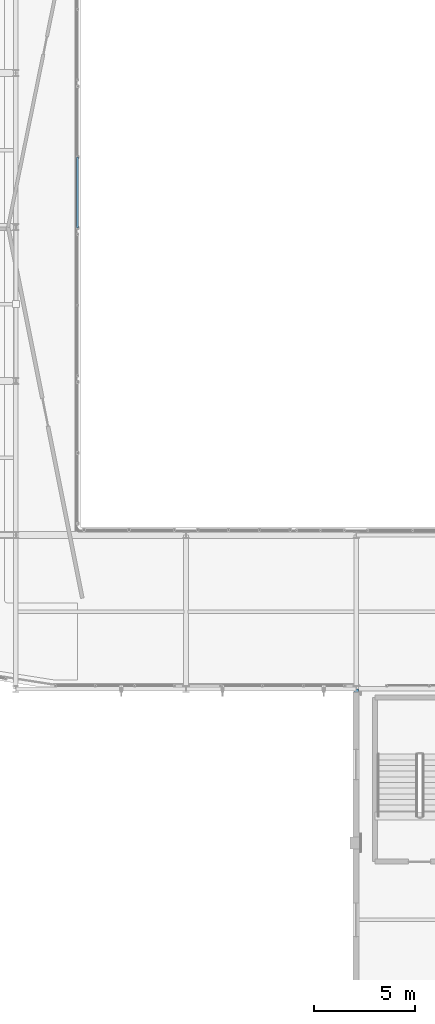
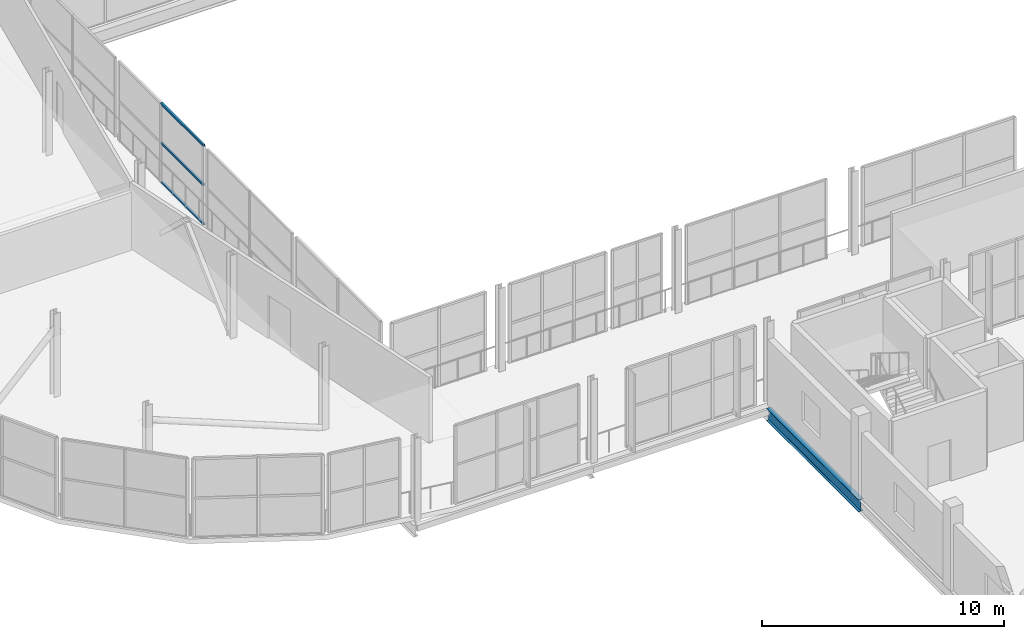
# One storey, part 26 of 151: 3 members, 1 beam, 1 element without a shape of its own.
"""IFC4 building model written with IfcOpenShell, lengths in metres."""

import ifcopenshell
import ifcopenshell.guid

model = None  # the IFC model being written
_history = None  # IfcOwnerHistory: only IFC2X3 demands one
_inside = {}  # id of a spatial element -> (the spatial element, [elements in it])
_under = {}  # id of a project, library or spatial element -> (it, [spatial elements below it])
_declared = {}  # id of a project -> (the project, [libraries it declares])
_typed = {}  # id of a type object -> (the type object, [elements of that type])
_made_of = {}  # id of a material, layer set ... -> (it, [elements and type objects made of it])


def new_model(schema):
    """Start an empty IFC model of exactly this schema.

    Asked for "IFC4X3", IfcOpenShell would pick the latest addendum, in which some entities
    have other attributes; the version numbers below select the first issue.
    IFC2X3 requires an IfcOwnerHistory on every rooted entity: one is made here for all.
    """
    global model, _history
    if schema == "IFC4X3":
        model = ifcopenshell.file(schema_version=(4, 3, 0, 0))
    else:
        model = ifcopenshell.file(schema=schema)
    _inside.clear()
    _under.clear()
    _declared.clear()
    _typed.clear()
    _made_of.clear()
    _history = None
    if model.schema == "IFC2X3":
        org = make("IfcOrganization", Name="unknown")
        user = make(
            "IfcPersonAndOrganization",
            ThePerson=make("IfcPerson", FamilyName="unknown"),
            TheOrganization=org,
        )
        app = make(
            "IfcApplication",
            ApplicationDeveloper=org,
            Version="unknown",
            ApplicationFullName="unknown",
            ApplicationIdentifier="unknown",
        )
        _history = make(
            "IfcOwnerHistory",
            OwningUser=user,
            OwningApplication=app,
            ChangeAction="ADDED",
            CreationDate=0,
        )
    return model


def make(cls, **values):
    """One entity of the class cls with the attributes given. An attribute that is None is left unset."""
    return model.create_entity(
        cls, **{name: value for name, value in values.items() if value is not None}
    )


def rooted(cls, **values):
    """An entity with a GlobalId (a new one), such as an element, a storey or a relation."""
    return make(cls, GlobalId=ifcopenshell.guid.new(), OwnerHistory=_history, **values)


def si_unit(unit_type, name, prefix=None):
    """IfcSIUnit, for example si_unit("LENGTHUNIT", "METRE", prefix="MILLI")."""
    return make("IfcSIUnit", UnitType=unit_type, Prefix=prefix, Name=name)


def assignment(units):
    """IfcUnitAssignment: the units of a project."""
    return None if units is None else make("IfcUnitAssignment", Units=units)


def point(xyz):
    """IfcCartesianPoint."""
    return None if xyz is None else make("IfcCartesianPoint", Coordinates=xyz)


def direction(xyz):
    """IfcDirection."""
    return None if xyz is None else make("IfcDirection", DirectionRatios=xyz)


def frame(location, z_axis=None, x_axis=None):
    """IfcAxis2Placement3D, a coordinate frame: its origin and axes. An axis left out is left unset."""
    return make(
        "IfcAxis2Placement3D",
        Location=point(location),
        Axis=direction(z_axis),
        RefDirection=direction(x_axis),
    )


def frame_2d(location, x_axis=None):
    """IfcAxis2Placement2D, a coordinate frame in the plane: its origin and x axis."""
    return make(
        "IfcAxis2Placement2D", Location=point(location), RefDirection=direction(x_axis)
    )


def origin():
    """The frame at (0, 0, 0) with its axes left unset."""
    return frame((0.0, 0.0, 0.0))


def origin_2d():
    """The frame at (0, 0) in the plane with its x axis left unset."""
    return frame_2d((0.0, 0.0))


def place(relative_to, where):
    """IfcLocalPlacement: puts the frame where relative to a parent placement (None: the world)."""
    return make(
        "IfcLocalPlacement", PlacementRelTo=relative_to, RelativePlacement=where
    )


def context(
    kind, dimensions, precision=None, world=None, true_north=None, identifier=None
):
    """IfcGeometricRepresentationContext, for example the 3D "Model" context."""
    return make(
        "IfcGeometricRepresentationContext",
        ContextIdentifier=identifier,
        ContextType=kind,
        CoordinateSpaceDimension=dimensions,
        Precision=precision,
        WorldCoordinateSystem=world,
        TrueNorth=true_north,
    )


def subcontext(parent, identifier, kind, view, scale=None):
    """IfcGeometricRepresentationSubContext, for example "Body" below "Model"."""
    return make(
        "IfcGeometricRepresentationSubContext",
        ContextIdentifier=identifier,
        ContextType=kind,
        ParentContext=parent,
        TargetScale=scale,
        TargetView=view,
    )


def project(units=None, contexts=None):
    """IfcProject with its units and contexts."""
    return rooted(
        "IfcProject",
        Name="project",
        RepresentationContexts=contexts,
        UnitsInContext=assignment(units),
    )


def spatial(cls, under=None, at=None, **own):
    """A site, building, storey or space (cls), placed at a placement, below another one or the project."""
    s = rooted(cls, ObjectPlacement=at, **own)
    if under is not None:
        _under.setdefault(under.id(), (under, []))[1].append(s)
    return s


def profile(cls, at=None, kind="AREA", **sizes):
    """A parametric profile (cls). Its sizes go by their IFC names, for example OverallWidth=200.0."""
    return make(cls, ProfileType=kind, Position=at, **sizes)


def hollow_rectangle(**sizes):
    """IfcRectangleHollowProfileDef."""
    return profile("IfcRectangleHollowProfileDef", **sizes)


def i_section(**sizes):
    """IfcIShapeProfileDef."""
    return profile("IfcIShapeProfileDef", **sizes)


def extrude(swept, where, along, depth):
    """IfcExtrudedAreaSolid: the profile swept, set in the frame where, extruded along a direction by depth."""
    return make(
        "IfcExtrudedAreaSolid",
        SweptArea=swept,
        Position=where,
        ExtrudedDirection=direction(along),
        Depth=depth,
    )


def shape(context_of_items, identifier, shape_type, items):
    """IfcShapeRepresentation: the items that make up one representation, for example the "Body"."""
    return make(
        "IfcShapeRepresentation",
        ContextOfItems=context_of_items,
        RepresentationIdentifier=identifier,
        RepresentationType=shape_type,
        Items=items,
    )


def material(Name=None, Category=None):
    """IfcMaterial."""
    return make("IfcMaterial", Name=Name, Category=Category)


def material_profile(
    of_material, cross_section, Name=None, Category=None, Priority=None
):
    """IfcMaterialProfile: a cross section and its material."""
    return make(
        "IfcMaterialProfile",
        Name=Name,
        Material=of_material,
        Profile=cross_section,
        Priority=Priority,
        Category=Category,
    )


def profile_set(profiles, Name=None, composite=None):
    """IfcMaterialProfileSet."""
    return make(
        "IfcMaterialProfileSet",
        Name=Name,
        MaterialProfiles=profiles,
        CompositeProfile=composite,
    )


def made_of(thing, what):
    """Note that an element or type object is made of a material, layer set ...; save() writes the relation."""
    if what is not None:
        _made_of.setdefault(what.id(), (what, []))[1].append(thing)
    return thing


def type_object(cls, material=None, **own):
    """A type object (cls), such as IfcWallType, which elements share."""
    return made_of(rooted(cls, **own), material)


def element(
    cls,
    number,
    at=None,
    inside=None,
    cuts=None,
    type_object=None,
    material=None,
    context=None,
    identifier="Body",
    shape_type=None,
    held_by="IfcProductDefinitionShape",
    body=None,
    shapes=None,
    **own,
):
    """One element of the class cls, such as IfcWall. Its Tag is "e" and its number.

    at: its placement. inside: the storey or other place that contains it. cuts: it is an
    opening in that element (IfcRelVoidsElement). A single representation is given by context,
    identifier, shape_type and body (its items); several are given by shapes. held_by: the class
    of the entity that holds the representations. save() writes the other relations.
    """
    e = rooted(cls, Tag="e%d" % number, ObjectPlacement=at, **own)
    if body is not None:
        shapes = [shape(context, identifier, shape_type, body)]
    if shapes is not None:
        e.Representation = make(held_by, Representations=shapes)
    if inside is not None:
        _inside.setdefault(inside.id(), (inside, []))[1].append(e)
    if cuts is not None:
        rooted(
            "IfcRelVoidsElement", RelatingBuildingElement=cuts, RelatedOpeningElement=e
        )
    if type_object is not None:
        _typed.setdefault(type_object.id(), (type_object, []))[1].append(e)
    return made_of(e, material)


def aggregate(whole, parts):
    """IfcRelAggregates: a whole, such as a stair, and the parts it consists of."""
    return rooted("IfcRelAggregates", RelatingObject=whole, RelatedObjects=parts)


def save(model, path):
    """Write the relations noted so far, then the file.

    IfcRelAggregates (storeys below a building ...), IfcRelContainedInSpatialStructure (elements
    in a storey), IfcRelDefinesByType, IfcRelAssociatesMaterial and IfcRelDeclares: one each for
    every whole, place, type object, material and project.
    """
    for whole, parts in _under.values():
        aggregate(whole, parts)
    for where, things in _inside.values():
        rooted(
            "IfcRelContainedInSpatialStructure",
            RelatedElements=things,
            RelatingStructure=where,
        )
    for kind, things in _typed.values():
        rooted("IfcRelDefinesByType", RelatedObjects=things, RelatingType=kind)
    for what, things in _made_of.values():
        rooted("IfcRelAssociatesMaterial", RelatedObjects=things, RelatingMaterial=what)
    for by, libraries in _declared.values():
        rooted("IfcRelDeclares", RelatingContext=by, RelatedDefinitions=libraries)
    model.write(path)


model = new_model("IFC4")

# Units and contexts
model_context = context("Model", 3, precision=1e-05, world=origin(), true_north=direction((0.0, 1.0)))
body_context = subcontext(model_context, "Body", "Model", "MODEL_VIEW")
ifc_project = project(units=[si_unit("LENGTHUNIT", "METRE"), si_unit("AREAUNIT", "SQUARE_METRE"), si_unit("VOLUMEUNIT", "CUBIC_METRE"), si_unit("PLANEANGLEUNIT", "RADIAN"), si_unit("MASSUNIT", "GRAM", prefix="KILO")], contexts=[model_context])

# Site, building, storey
site_placement = place(None, origin())
site = spatial("IfcSite", under=ifc_project, at=site_placement, CompositionType="ELEMENT")
building_placement = place(site_placement, origin())
building = spatial("IfcBuilding", under=site, at=building_placement, Name="Zuvorla Pavilion Media Centre", CompositionType="ELEMENT")
storey_placement = place(building_placement, frame((0.0, 0.0, 13.800048828125)))
storey = spatial("IfcBuildingStorey", under=building, at=storey_placement, Name="L03", CompositionType="ELEMENT", Elevation=13.800048828125)

# Beam
ifc_material_1 = material(Name="Steel S355", Category="steel")
ifc_material_profile_1 = material_profile(ifc_material_1, i_section(OverallWidth=0.22900390625, OverallDepth=0.6123046875, WebThickness=0.011962890625, FlangeThickness=0.01953125, FilletRadius=0.0126953125, at=origin_2d()), Name="UB 610x229x125")
ifc_profile_set_1 = profile_set([ifc_material_profile_1], Name="Steel S355")
beam_type = type_object("IfcBeamType", Name="BM-UB610", PredefinedType="BEAM", material=ifc_profile_set_1)
beam_placement = place(storey_placement, frame((41.60009765625, 36.39990234375, -0.564208984375), z_axis=(0.0, 1.0, 0.0), x_axis=(-1.0, 0.0, 0.0)))
element("IfcBeam", 1, at=beam_placement, inside=storey, type_object=beam_type, Name="L03 beam B07 1163", PredefinedType="BEAM", context=body_context, shape_type="SweptSolid", body=[
    extrude(i_section(OverallWidth=0.22900390625, OverallDepth=0.6123046875, WebThickness=0.011962890625, FlangeThickness=0.01953125, FilletRadius=0.0126953125, at=origin_2d()), origin(), (0.0, 0.0, 1.0), 7.60009765625),
])

# Curtain wall, members
ifc_material_2 = material(Name="Unitised anodised aluminium and solar glass curtain wall", Category="aluminium")
curtain_wall_type = type_object("IfcCurtainWallType", Name="CW-SYS-58", PredefinedType="USERDEFINED", material=ifc_material_2)
curtain_wall_placement = place(storey_placement, origin())
curtain_wall = element("IfcCurtainWall", 2, at=curtain_wall_placement, inside=storey, type_object=curtain_wall_type, Name="L03 curtain wall CW58 190", ObjectType="CURTAIN WALL", PredefinedType="USERDEFINED")
ifc_material_3 = material(Name="Anodised aluminium 6063-T6", Category="aluminium")
ifc_material_profile_2 = material_profile(ifc_material_3, hollow_rectangle(XDim=0.10009765625, YDim=0.10009765625, WallThickness=0.00439453125, at=origin_2d()), Name="ALU TRAN 100x100")
ifc_profile_set_2 = profile_set([ifc_material_profile_2], Name="Anodised aluminium 6063-T6")
member_type = type_object("IfcMemberType", Name="CW-TRAN-100", PredefinedType="USERDEFINED", material=ifc_profile_set_2)
member_1_placement = place(storey_placement, frame((27.840087890625, 70.25, 0.0), z_axis=(0.0, -1.0, 0.0), x_axis=(1.0, 0.0, 0.0)))
member_1 = element("IfcMember", 3, at=member_1_placement, type_object=member_type, Name="CW58 transom 2.1", ObjectType="TRANSOM", PredefinedType="USERDEFINED", context=body_context, shape_type="SweptSolid", body=[
    extrude(hollow_rectangle(XDim=0.10009765625, YDim=0.10009765625, WallThickness=0.00439453125, at=origin_2d()), origin(), (0.0, 0.0, 1.0), 3.489990234375),
])
member_2_placement = place(storey_placement, frame((27.840087890625, 70.25, 1.97998046875), z_axis=(0.0, -1.0, 0.0), x_axis=(1.0, 0.0, 0.0)))
member_2 = element("IfcMember", 4, at=member_2_placement, type_object=member_type, Name="CW58 transom 2.2", ObjectType="TRANSOM", PredefinedType="USERDEFINED", context=body_context, shape_type="SweptSolid", body=[
    extrude(hollow_rectangle(XDim=0.10009765625, YDim=0.10009765625, WallThickness=0.00439453125, at=origin_2d()), origin(), (0.0, 0.0, 1.0), 3.489990234375),
])
member_3_placement = place(storey_placement, frame((27.840087890625, 70.25, 3.9599609375), z_axis=(0.0, -1.0, 0.0), x_axis=(1.0, 0.0, 0.0)))
member_3 = element("IfcMember", 5, at=member_3_placement, type_object=member_type, Name="CW58 transom 2.3", ObjectType="TRANSOM", PredefinedType="USERDEFINED", context=body_context, shape_type="SweptSolid", body=[
    extrude(hollow_rectangle(XDim=0.10009765625, YDim=0.10009765625, WallThickness=0.00439453125, at=origin_2d()), origin(), (0.0, 0.0, 1.0), 3.489990234375),
])
aggregate(curtain_wall, [member_1, member_2, member_3])

save(model, "model.ifc")
